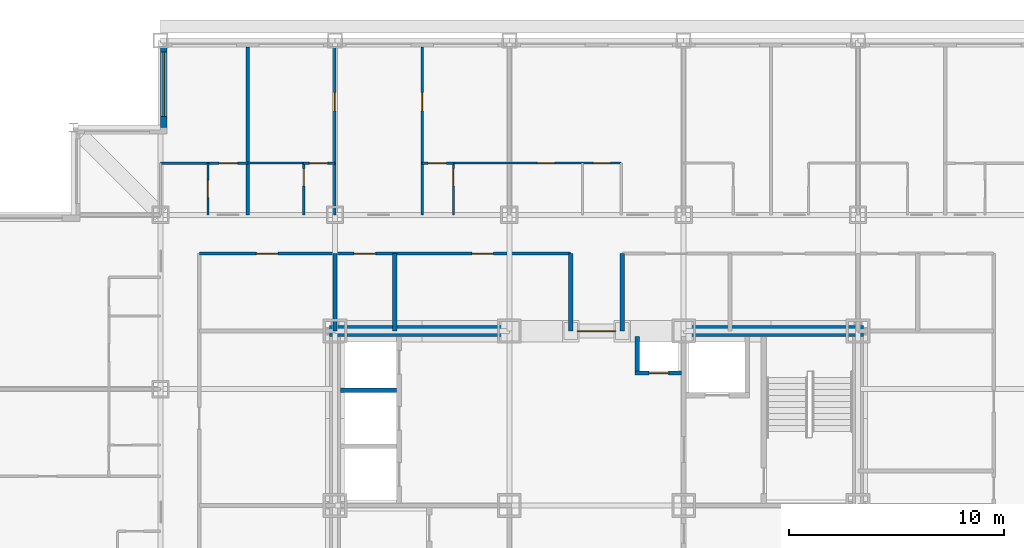
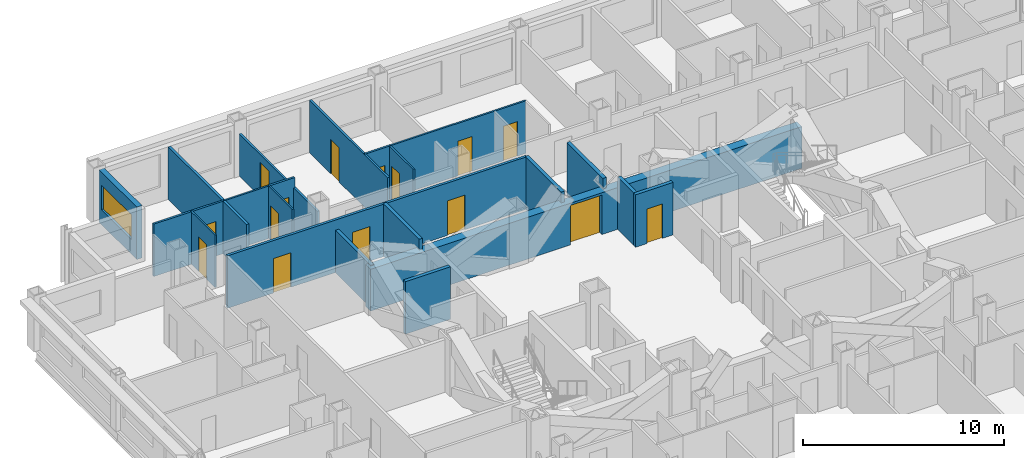
# One storey, part 9 of 13: 21 walls, 15 doors, 1 window, 16 openings.
"""IFC4 building model written with IfcOpenShell, lengths in metres."""

from ifc_helpers import new_model, si_unit, direction, frame, frame_2d, origin, place, context, subcontext, project, spatial, rectangle, extrude, material, layer, layer_set, type_object, element, fill, save


model = new_model("IFC4")

# Units and contexts
model_context = context("Model", 3, precision=1e-05, world=origin(), true_north=direction((0.0, 1.0)))
body_context = subcontext(model_context, "Body", "Model", "MODEL_VIEW")
ifc_project = project(units=[si_unit("LENGTHUNIT", "METRE"), si_unit("AREAUNIT", "SQUARE_METRE"), si_unit("VOLUMEUNIT", "CUBIC_METRE"), si_unit("PLANEANGLEUNIT", "RADIAN"), si_unit("MASSUNIT", "GRAM", prefix="KILO")], contexts=[model_context])

# Site, building, storey
site_placement = place(None, origin())
site = spatial("IfcSite", under=ifc_project, at=site_placement, CompositionType="ELEMENT")
building_placement = place(site_placement, origin())
building = spatial("IfcBuilding", under=site, at=building_placement, Name="Kopane Lantern Tower", CompositionType="ELEMENT")
storey_placement = place(building_placement, frame((0.0, 0.0, 130.60009765625)))
storey = spatial("IfcBuildingStorey", under=building, at=storey_placement, Name="L33", CompositionType="ELEMENT", Elevation=130.60009765625)

# Wall, opening, door
ifc_material_1 = material(Name="Gypsum board on steel studs", Category="steel")
ifc_layer_1 = layer(ifc_material_1, 0.1201171875)
ifc_layer_set_1 = layer_set([ifc_layer_1], Name="APARTMENT INTERNAL WALL 120")
wall_type_1 = type_object("IfcWallType", Name="APARTMENT INTERNAL WALL 120", PredefinedType="PARTITIONING", material=ifc_layer_set_1)
wall_1_placement = place(storey_placement, frame((16.199951171875, 45.89990234375, 0.0), z_axis=(0.0, 0.0, 1.0), x_axis=(0.0, 1.0, 0.0)))
wall_1 = element("IfcWall", 1, at=wall_1_placement, inside=storey, type_object=wall_type_1, Name="Apartment Internal Wall 120 L33", PredefinedType="PARTITIONING", context=body_context, shape_type="SweptSolid", body=[
    extrude(rectangle(XDim=7.800048828125, YDim=0.1201171875, at=frame_2d((3.89990234375, 0.0))), origin(), (0.0, 0.0, 1.0), 2.57763671875),
])
opening_1_placement = place(wall_1_placement, frame((4.824951171875, 0.0, 0.0)))
opening_1 = element("IfcOpeningElement", 2, at=opening_1_placement, cuts=wall_1, Name="Opening L33-031", PredefinedType="OPENING", context=body_context, shape_type="SweptSolid", body=[
    extrude(rectangle(XDim=0.85009765625, YDim=2.10009765625, at=frame_2d((0.425048828125, 1.050048828125))), frame((0.0, 0.070068359375, 0.0), z_axis=(0.0, -1.0, 0.0), x_axis=(1.0, 0.0, 0.0)), (0.0, 0.0, 1.0), 0.14013671875),
])
ifc_material_2 = material(Name="Timber door set", Category="wood")
door_type_1 = type_object("IfcDoorType", Name="DOOR D4 850x2100", OperationType="SINGLE_SWING_LEFT", PredefinedType="DOOR", material=ifc_material_2)
door_1_placement = place(opening_1_placement, origin())
door_1 = element("IfcDoor", 3, at=door_1_placement, inside=storey, type_object=door_type_1, Name="Door L33-031", OperationType="SINGLE_SWING_LEFT", OverallHeight=2.10009765625, OverallWidth=0.85009765625, PredefinedType="DOOR", context=body_context, shape_type="SweptSolid", body=[
    extrude(rectangle(XDim=0.85009765625, YDim=2.10009765625, at=frame_2d((0.425048828125, 1.050048828125))), frame((0.0, 0.02490234375, 0.0), z_axis=(0.0, -1.0, 0.0), x_axis=(1.0, 0.0, 0.0)), (0.0, 0.0, 1.0), 0.050048828125),
])
fill(opening_1, door_1)

wall_2_placement = place(storey_placement, frame((20.25, 45.89990234375, 0.0), z_axis=(0.0, 0.0, 1.0), x_axis=(0.0, 1.0, 0.0)))
wall_2 = element("IfcWall", 4, at=wall_2_placement, inside=storey, type_object=wall_type_1, Name="Apartment Internal Wall 120 L33", PredefinedType="PARTITIONING", context=body_context, shape_type="SweptSolid", body=[
    extrude(rectangle(XDim=7.800048828125, YDim=0.1201171875, at=frame_2d((3.89990234375, 0.0))), origin(), (0.0, 0.0, 1.0), 3.18994140625),
])
opening_2_placement = place(wall_2_placement, frame((4.824951171875, 0.0, 0.0)))
opening_2 = element("IfcOpeningElement", 5, at=opening_2_placement, cuts=wall_2, Name="Opening L33-033", PredefinedType="OPENING", context=body_context, shape_type="SweptSolid", body=[
    extrude(rectangle(XDim=0.85009765625, YDim=2.10009765625, at=frame_2d((0.425048828125, 1.050048828125))), frame((0.0, 0.070068359375, 0.0), z_axis=(0.0, -1.0, 0.0), x_axis=(1.0, 0.0, 0.0)), (0.0, 0.0, 1.0), 0.14013671875),
])
door_2_placement = place(opening_2_placement, origin())
door_2 = element("IfcDoor", 6, at=door_2_placement, inside=storey, type_object=door_type_1, Name="Door L33-033", OperationType="SINGLE_SWING_RIGHT", OverallHeight=2.10009765625, OverallWidth=0.85009765625, PredefinedType="DOOR", context=body_context, shape_type="SweptSolid", body=[
    extrude(rectangle(XDim=0.85009765625, YDim=2.10009765625, at=frame_2d((0.425048828125, 1.050048828125))), frame((0.0, 0.02490234375, 0.0), z_axis=(0.0, -1.0, 0.0), x_axis=(1.0, 0.0, 0.0)), (0.0, 0.0, 1.0), 0.050048828125),
])
fill(opening_2, door_2)

wall_3_placement = place(storey_placement, frame((8.10009765625, 48.300048828125, 0.0), z_axis=(0.0, 0.0, 1.0), x_axis=(1.0, 0.0, 0.0)))
wall_3 = element("IfcWall", 7, at=wall_3_placement, inside=storey, type_object=wall_type_1, Name="Apartment Internal Wall 120 L33", PredefinedType="PARTITIONING", context=body_context, shape_type="SweptSolid", body=[
    extrude(rectangle(XDim=4.0498046875, YDim=0.1201171875, at=frame_2d((2.02490234375, 0.0))), origin(), (0.0, 0.0, 1.0), 3.18994140625),
])
opening_3_placement = place(wall_3_placement, frame((2.72509765625, 0.0, 0.0)))
opening_3 = element("IfcOpeningElement", 8, at=opening_3_placement, cuts=wall_3, Name="Opening L33-078", PredefinedType="OPENING", context=body_context, shape_type="SweptSolid", body=[
    extrude(rectangle(XDim=0.85009765625, YDim=2.10009765625, at=frame_2d((0.425048828125, 1.050048828125))), frame((0.0, 0.070068359375, 0.0), z_axis=(0.0, -1.0, 0.0), x_axis=(1.0, 0.0, 0.0)), (0.0, 0.0, 1.0), 0.14013671875),
])
door_3_placement = place(opening_3_placement, origin())
door_3 = element("IfcDoor", 9, at=door_3_placement, inside=storey, type_object=door_type_1, Name="Door L33-078", OperationType="SINGLE_SWING_LEFT", OverallHeight=2.10009765625, OverallWidth=0.85009765625, PredefinedType="DOOR", context=body_context, shape_type="SweptSolid", body=[
    extrude(rectangle(XDim=0.85009765625, YDim=2.10009765625, at=frame_2d((0.425048828125, 1.050048828125))), frame((0.0, 0.02490234375, 0.0), z_axis=(0.0, -1.0, 0.0), x_axis=(1.0, 0.0, 0.0)), (0.0, 0.0, 1.0), 0.050048828125),
])
fill(opening_3, door_3)

wall_4_placement = place(storey_placement, frame((14.739990234375, 48.300048828125, 0.0), z_axis=(0.0, 0.0, 1.0), x_axis=(1.0, 0.0, 0.0)))
wall_4 = element("IfcWall", 10, at=wall_4_placement, inside=storey, type_object=wall_type_1, Name="Apartment Internal Wall 120 L33", PredefinedType="PARTITIONING", context=body_context, shape_type="SweptSolid", body=[
    extrude(rectangle(XDim=1.4599609375, YDim=0.1201171875, at=frame_2d((0.72998046875, 0.0))), origin(), (0.0, 0.0, 1.0), 3.18994140625),
])
opening_4_placement = place(wall_4_placement, frame((0.27490234375, 0.0, 0.0)))
opening_4 = element("IfcOpeningElement", 11, at=opening_4_placement, cuts=wall_4, Name="Opening L33-083", PredefinedType="OPENING", context=body_context, shape_type="SweptSolid", body=[
    extrude(rectangle(XDim=0.85009765625, YDim=2.10009765625, at=frame_2d((0.425048828125, 1.050048828125))), frame((0.0, 0.070068359375, 0.0), z_axis=(0.0, -1.0, 0.0), x_axis=(1.0, 0.0, 0.0)), (0.0, 0.0, 1.0), 0.14013671875),
])
door_4_placement = place(opening_4_placement, origin())
door_4 = element("IfcDoor", 12, at=door_4_placement, inside=storey, type_object=door_type_1, Name="Door L33-083", OperationType="SINGLE_SWING_RIGHT", OverallHeight=2.10009765625, OverallWidth=0.85009765625, PredefinedType="DOOR", context=body_context, shape_type="SweptSolid", body=[
    extrude(rectangle(XDim=0.85009765625, YDim=2.10009765625, at=frame_2d((0.425048828125, 1.050048828125))), frame((0.0, 0.02490234375, 0.0), z_axis=(0.0, -1.0, 0.0), x_axis=(1.0, 0.0, 0.0)), (0.0, 0.0, 1.0), 0.050048828125),
])
fill(opening_4, door_4)

wall_5_placement = place(storey_placement, frame((20.25, 48.300048828125, 0.0), z_axis=(0.0, 0.0, 1.0), x_axis=(1.0, 0.0, 0.0)))
wall_5 = element("IfcWall", 13, at=wall_5_placement, inside=storey, type_object=wall_type_1, Name="Apartment Internal Wall 120 L33", PredefinedType="PARTITIONING", context=body_context, shape_type="SweptSolid", body=[
    extrude(rectangle(XDim=1.4599609375, YDim=0.1201171875, at=frame_2d((0.72998046875, 0.0))), origin(), (0.0, 0.0, 1.0), 3.18994140625),
])
opening_5_placement = place(wall_5_placement, frame((0.27490234375, 0.0, 0.0)))
opening_5 = element("IfcOpeningElement", 14, at=opening_5_placement, cuts=wall_5, Name="Opening L33-084", PredefinedType="OPENING", context=body_context, shape_type="SweptSolid", body=[
    extrude(rectangle(XDim=0.85009765625, YDim=2.10009765625, at=frame_2d((0.425048828125, 1.050048828125))), frame((0.0, 0.070068359375, 0.0), z_axis=(0.0, -1.0, 0.0), x_axis=(1.0, 0.0, 0.0)), (0.0, 0.0, 1.0), 0.14013671875),
])
door_5_placement = place(opening_5_placement, origin())
door_5 = element("IfcDoor", 15, at=door_5_placement, inside=storey, type_object=door_type_1, Name="Door L33-084", OperationType="SINGLE_SWING_LEFT", OverallHeight=2.10009765625, OverallWidth=0.85009765625, PredefinedType="DOOR", context=body_context, shape_type="SweptSolid", body=[
    extrude(rectangle(XDim=0.85009765625, YDim=2.10009765625, at=frame_2d((0.425048828125, 1.050048828125))), frame((0.0, 0.02490234375, 0.0), z_axis=(0.0, -1.0, 0.0), x_axis=(1.0, 0.0, 0.0)), (0.0, 0.0, 1.0), 0.050048828125),
])
fill(opening_5, door_5)

# Wall
ifc_material_3 = material(Name="Moisture-resistant board on steel studs", Category="steel")
ifc_layer_2 = layer(ifc_material_3, 0.10009765625)
ifc_layer_set_2 = layer_set([ifc_layer_2], Name="BATHROOM WALL 100")
wall_type_2 = type_object("IfcWallType", Name="BATHROOM WALL 100", PredefinedType="PARTITIONING", material=ifc_layer_set_2)
wall_6_placement = place(storey_placement, frame((12.14990234375, 48.300048828125, 0.0), z_axis=(0.0, 0.0, 1.0), x_axis=(1.0, 0.0, 0.0)))
element("IfcWall", 16, at=wall_6_placement, inside=storey, type_object=wall_type_2, Name="Bathroom Wall 100 L33", PredefinedType="PARTITIONING", context=body_context, shape_type="SweptSolid", body=[
    extrude(rectangle(XDim=2.60009765625, YDim=0.10009765625, at=frame_2d((1.300048828125, 0.0))), origin(), (0.0, 0.0, 1.0), 3.18994140625),
])

# Wall, opening, door
wall_7_placement = place(storey_placement, frame((14.75, 45.89990234375, 0.0), z_axis=(0.0, 0.0, 1.0), x_axis=(0.0, 1.0, 0.0)))
wall_7 = element("IfcWall", 17, at=wall_7_placement, inside=storey, type_object=wall_type_2, Name="Bathroom Wall 100 L33", PredefinedType="PARTITIONING", context=body_context, shape_type="SweptSolid", body=[
    extrude(rectangle(XDim=2.400146484375, YDim=0.10009765625, at=frame_2d((1.2001953125, 0.0))), origin(), (0.0, 0.0, 1.0), 3.18994140625),
])
opening_6_placement = place(wall_7_placement, frame((1.35009765625, 0.0, 0.0)))
opening_6 = element("IfcOpeningElement", 18, at=opening_6_placement, cuts=wall_7, Name="Opening L33-030", PredefinedType="OPENING", context=body_context, shape_type="SweptSolid", body=[
    extrude(rectangle(XDim=0.800048828125, YDim=2.10009765625, at=frame_2d((0.39990234375, 1.050048828125))), frame((0.0, 0.06005859375, 0.0), z_axis=(0.0, -1.0, 0.0), x_axis=(1.0, 0.0, 0.0)), (0.0, 0.0, 1.0), 0.1201171875),
])
ifc_material_4 = material(Name="Timber door set", Category="wood")
door_type_2 = type_object("IfcDoorType", Name="DOOR D2 800x2100", OperationType="SINGLE_SWING_LEFT", PredefinedType="DOOR", material=ifc_material_4)
door_6_placement = place(opening_6_placement, origin())
door_6 = element("IfcDoor", 19, at=door_6_placement, inside=storey, type_object=door_type_2, Name="Door L33-030", OperationType="SINGLE_SWING_LEFT", OverallHeight=2.10009765625, OverallWidth=0.800048828125, PredefinedType="DOOR", context=body_context, shape_type="SweptSolid", body=[
    extrude(rectangle(XDim=0.800048828125, YDim=2.10009765625, at=frame_2d((0.39990234375, 1.050048828125))), frame((0.0, 0.02490234375, 0.0), z_axis=(0.0, -1.0, 0.0), x_axis=(1.0, 0.0, 0.0)), (0.0, 0.0, 1.0), 0.050048828125),
])
fill(opening_6, door_6)

# Wall, openings, doors
wall_8_placement = place(storey_placement, frame((21.699951171875, 48.300048828125, 0.0), z_axis=(0.0, 0.0, 1.0), x_axis=(1.0, 0.0, 0.0)))
wall_8 = element("IfcWall", 20, at=wall_8_placement, inside=storey, type_object=wall_type_2, Name="Bathroom Wall 100 L33", PredefinedType="PARTITIONING", context=body_context, shape_type="SweptSolid", body=[
    extrude(rectangle(XDim=7.800048828125, YDim=0.10009765625, at=frame_2d((3.89990234375, 0.0))), origin(), (0.0, 0.0, 1.0), 3.18994140625),
])
opening_7_placement = place(wall_8_placement, frame((3.89990234375, 0.0, 0.0)))
opening_7 = element("IfcOpeningElement", 21, at=opening_7_placement, cuts=wall_8, Name="Opening L33-034", PredefinedType="OPENING", context=body_context, shape_type="SweptSolid", body=[
    extrude(rectangle(XDim=0.800048828125, YDim=2.10009765625, at=frame_2d((0.39990234375, 1.050048828125))), frame((0.0, 0.06005859375, 0.0), z_axis=(0.0, -1.0, 0.0), x_axis=(1.0, 0.0, 0.0)), (0.0, 0.0, 1.0), 0.1201171875),
])
opening_8_placement = place(wall_8_placement, frame((6.5, 0.0, 0.0)))
opening_8 = element("IfcOpeningElement", 22, at=opening_8_placement, cuts=wall_8, Name="Opening L33-035", PredefinedType="OPENING", context=body_context, shape_type="SweptSolid", body=[
    extrude(rectangle(XDim=0.800048828125, YDim=2.10009765625, at=frame_2d((0.39990234375, 1.050048828125))), frame((0.0, 0.06005859375, 0.0), z_axis=(0.0, -1.0, 0.0), x_axis=(1.0, 0.0, 0.0)), (0.0, 0.0, 1.0), 0.1201171875),
])
door_7_placement = place(opening_7_placement, origin())
door_7 = element("IfcDoor", 23, at=door_7_placement, inside=storey, type_object=door_type_2, Name="Door L33-034", OperationType="SINGLE_SWING_LEFT", OverallHeight=2.10009765625, OverallWidth=0.800048828125, PredefinedType="DOOR", context=body_context, shape_type="SweptSolid", body=[
    extrude(rectangle(XDim=0.800048828125, YDim=2.10009765625, at=frame_2d((0.39990234375, 1.050048828125))), frame((0.0, 0.02490234375, 0.0), z_axis=(0.0, -1.0, 0.0), x_axis=(1.0, 0.0, 0.0)), (0.0, 0.0, 1.0), 0.050048828125),
])
fill(opening_7, door_7)
door_8_placement = place(opening_8_placement, origin())
door_8 = element("IfcDoor", 24, at=door_8_placement, inside=storey, type_object=door_type_2, Name="Door L33-035", OperationType="SINGLE_SWING_LEFT", OverallHeight=2.10009765625, OverallWidth=0.800048828125, PredefinedType="DOOR", context=body_context, shape_type="SweptSolid", body=[
    extrude(rectangle(XDim=0.800048828125, YDim=2.10009765625, at=frame_2d((0.39990234375, 1.050048828125))), frame((0.0, 0.02490234375, 0.0), z_axis=(0.0, -1.0, 0.0), x_axis=(1.0, 0.0, 0.0)), (0.0, 0.0, 1.0), 0.050048828125),
])
fill(opening_8, door_8)

# Wall, opening, door
wall_9_placement = place(storey_placement, frame((21.699951171875, 45.89990234375, 0.0), z_axis=(0.0, 0.0, 1.0), x_axis=(0.0, 1.0, 0.0)))
wall_9 = element("IfcWall", 25, at=wall_9_placement, inside=storey, type_object=wall_type_2, Name="Bathroom Wall 100 L33", PredefinedType="PARTITIONING", context=body_context, shape_type="SweptSolid", body=[
    extrude(rectangle(XDim=2.400146484375, YDim=0.10009765625, at=frame_2d((1.2001953125, 0.0))), origin(), (0.0, 0.0, 1.0), 3.18994140625),
])
opening_9_placement = place(wall_9_placement, frame((1.35009765625, 0.0, 0.0)))
opening_9 = element("IfcOpeningElement", 26, at=opening_9_placement, cuts=wall_9, Name="Opening L33-032", PredefinedType="OPENING", context=body_context, shape_type="SweptSolid", body=[
    extrude(rectangle(XDim=0.800048828125, YDim=2.10009765625, at=frame_2d((0.39990234375, 1.050048828125))), frame((0.0, 0.06005859375, 0.0), z_axis=(0.0, -1.0, 0.0), x_axis=(1.0, 0.0, 0.0)), (0.0, 0.0, 1.0), 0.1201171875),
])
door_9_placement = place(opening_9_placement, origin())
door_9 = element("IfcDoor", 27, at=door_9_placement, inside=storey, type_object=door_type_2, Name="Door L33-032", OperationType="SINGLE_SWING_RIGHT", OverallHeight=2.10009765625, OverallWidth=0.800048828125, PredefinedType="DOOR", context=body_context, shape_type="SweptSolid", body=[
    extrude(rectangle(XDim=0.800048828125, YDim=2.10009765625, at=frame_2d((0.39990234375, 1.050048828125))), frame((0.0, 0.02490234375, 0.0), z_axis=(0.0, -1.0, 0.0), x_axis=(1.0, 0.0, 0.0)), (0.0, 0.0, 1.0), 0.050048828125),
])
fill(opening_9, door_9)

wall_10_placement = place(storey_placement, frame((10.300048828125, 45.89990234375, 0.0), z_axis=(0.0, 0.0, 1.0), x_axis=(0.0, 1.0, 0.0)))
wall_10 = element("IfcWall", 28, at=wall_10_placement, inside=storey, type_object=wall_type_2, Name="Bathroom Wall 100 L33", PredefinedType="PARTITIONING", context=body_context, shape_type="SweptSolid", body=[
    extrude(rectangle(XDim=2.400146484375, YDim=0.10009765625, at=frame_2d((1.2001953125, 0.0))), origin(), (0.0, 0.0, 1.0), 3.18994140625),
])
opening_10_placement = place(wall_10_placement, frame((0.800048828125, 0.0, 0.0)))
opening_10 = element("IfcOpeningElement", 29, at=opening_10_placement, cuts=wall_10, Name="Opening L33-076", PredefinedType="OPENING", context=body_context, shape_type="SweptSolid", body=[
    extrude(rectangle(XDim=0.800048828125, YDim=2.10009765625, at=frame_2d((0.39990234375, 1.050048828125))), frame((0.0, 0.06005859375, 0.0), z_axis=(0.0, -1.0, 0.0), x_axis=(1.0, 0.0, 0.0)), (0.0, 0.0, 1.0), 0.1201171875),
])
door_10_placement = place(opening_10_placement, origin())
door_10 = element("IfcDoor", 30, at=door_10_placement, inside=storey, type_object=door_type_2, Name="Door L33-076", OperationType="SINGLE_SWING_LEFT", OverallHeight=2.10009765625, OverallWidth=0.800048828125, PredefinedType="DOOR", context=body_context, shape_type="SweptSolid", body=[
    extrude(rectangle(XDim=0.800048828125, YDim=2.10009765625, at=frame_2d((0.39990234375, 1.050048828125))), frame((0.0, 0.02490234375, 0.0), z_axis=(0.0, -1.0, 0.0), x_axis=(1.0, 0.0, 0.0)), (0.0, 0.0, 1.0), 0.050048828125),
])
fill(opening_10, door_10)

ifc_material_5 = material(Name="Gypsum shaft wall EI 120", Category="gypsum")
ifc_layer_3 = layer(ifc_material_5, 0.5)
ifc_layer_set_3 = layer_set([ifc_layer_3], Name="CORE PERIMETER WALL 500 EI 120")
wall_type_3 = type_object("IfcWallType", Name="CORE PERIMETER WALL 500 EI 120", PredefinedType="SOLIDWALL", material=ifc_layer_set_3)
wall_11_placement = place(storey_placement, frame((15.949951171875, 40.5, 0.0), z_axis=(0.0, 0.0, 1.0), x_axis=(1.0, 0.0, 0.0)))
wall_11 = element("IfcWall", 31, at=wall_11_placement, inside=storey, type_object=wall_type_3, Name="Core shaft wall L33 PN", PredefinedType="SOLIDWALL", context=body_context, shape_type="SweptSolid", body=[
    extrude(rectangle(XDim=24.800048828125, YDim=0.5, at=frame_2d((12.39990234375, 0.0))), origin(), (0.0, 0.0, 1.0), 2.539794921875),
])
opening_11_placement = place(wall_11_placement, frame((11.5, 0.0, 0.0)))
opening_11 = element("IfcOpeningElement", 32, at=opening_11_placement, cuts=wall_11, Name="Opening 33.CE-N", PredefinedType="OPENING", context=body_context, shape_type="SweptSolid", body=[
    extrude(rectangle(XDim=1.800048828125, YDim=2.39990234375, at=frame_2d((0.89990234375, 1.199951171875))), frame((0.0, 0.260009765625, 0.0), z_axis=(0.0, -1.0, 0.0), x_axis=(1.0, 0.0, 0.0)), (0.0, 0.0, 1.0), 0.52001953125),
])
ifc_material_6 = material(Name="Steel door set", Category="steel")
door_type_3 = type_object("IfcDoorType", Name="CORE ENTRY DOOR 1800x2400 FD60S", OperationType="DOUBLE_DOOR_SINGLE_SWING", PredefinedType="DOOR", material=ifc_material_6)
door_11_placement = place(opening_11_placement, origin())
door_11 = element("IfcDoor", 33, at=door_11_placement, inside=storey, type_object=door_type_3, Name="Core entry door L33 north", OperationType="DOUBLE_DOOR_SINGLE_SWING", OverallHeight=2.39990234375, OverallWidth=1.800048828125, PredefinedType="DOOR", context=body_context, shape_type="SweptSolid", body=[
    extrude(rectangle(XDim=1.800048828125, YDim=2.39990234375, at=frame_2d((0.89990234375, 1.199951171875))), frame((0.0, 0.02490234375, 0.0), z_axis=(0.0, -1.0, 0.0), x_axis=(1.0, 0.0, 0.0)), (0.0, 0.0, 1.0), 0.050048828125),
])
fill(opening_11, door_11)

# Wall, openings, doors
ifc_material_7 = material(Name="Gypsum board on steel studs", Category="steel")
ifc_layer_4 = layer(ifc_material_7, 0.14990234375)
ifc_layer_set_4 = layer_set([ifc_layer_4], Name="CORRIDOR WALL 150 EI 60")
wall_type_4 = type_object("IfcWallType", Name="CORRIDOR WALL 150 EI 60", PredefinedType="PARTITIONING", material=ifc_layer_set_4)
wall_12_placement = place(storey_placement, frame((27.139892578125, 44.10009765625, 0.0), z_axis=(0.0, 0.0, 1.0), x_axis=(-1.0, 0.0, 0.0)))
wall_12 = element("IfcWall", 34, at=wall_12_placement, inside=storey, type_object=wall_type_4, Name="Corridor Wall 150 Ei 60 L33", PredefinedType="PARTITIONING", context=body_context, shape_type="SweptSolid", body=[
    extrude(rectangle(XDim=17.239990234375, YDim=0.14990234375, at=frame_2d((8.6201171875, 0.0))), origin(), (0.0, 0.0, 1.0), 3.18994140625),
])
opening_12_placement = place(wall_12_placement, frame((13.590087890625, 0.0, 0.0)))
opening_12 = element("IfcOpeningElement", 35, at=opening_12_placement, cuts=wall_12, Name="Opening L33-008", PredefinedType="OPENING", context=body_context, shape_type="SweptSolid", body=[
    extrude(rectangle(XDim=1.0, YDim=2.10009765625, at=frame_2d((0.5, 1.050048828125))), frame((0.0, 0.0849609375, 0.0), z_axis=(0.0, -1.0, 0.0), x_axis=(1.0, 0.0, 0.0)), (0.0, 0.0, 1.0), 0.169921875),
])
opening_13_placement = place(wall_12_placement, frame((9.051025390625, 0.0, 0.0)))
opening_13 = element("IfcOpeningElement", 36, at=opening_13_placement, cuts=wall_12, Name="Opening L33-009", PredefinedType="OPENING", context=body_context, shape_type="SweptSolid", body=[
    extrude(rectangle(XDim=1.0, YDim=2.10009765625, at=frame_2d((0.5, 1.050048828125))), frame((0.0, 0.0849609375, 0.0), z_axis=(0.0, -1.0, 0.0), x_axis=(1.0, 0.0, 0.0)), (0.0, 0.0, 1.0), 0.169921875),
])
opening_14_placement = place(wall_12_placement, frame((3.576171875, 0.0, 0.0)))
opening_14 = element("IfcOpeningElement", 37, at=opening_14_placement, cuts=wall_12, Name="Opening L33-010", PredefinedType="OPENING", context=body_context, shape_type="SweptSolid", body=[
    extrude(rectangle(XDim=1.0, YDim=2.10009765625, at=frame_2d((0.5, 1.050048828125))), frame((0.0, 0.0849609375, 0.0), z_axis=(0.0, -1.0, 0.0), x_axis=(1.0, 0.0, 0.0)), (0.0, 0.0, 1.0), 0.169921875),
])
ifc_material_8 = material(Name="Steel door set", Category="steel")
door_type_4 = type_object("IfcDoorType", Name="DOOR D5 1000x2100 FD60", OperationType="SINGLE_SWING_LEFT", PredefinedType="DOOR", material=ifc_material_8)
door_12_placement = place(opening_12_placement, origin())
door_12 = element("IfcDoor", 38, at=door_12_placement, inside=storey, type_object=door_type_4, Name="Door L33-008", OperationType="SINGLE_SWING_LEFT", OverallHeight=2.10009765625, OverallWidth=1.0, PredefinedType="DOOR", context=body_context, shape_type="SweptSolid", body=[
    extrude(rectangle(XDim=1.0, YDim=2.10009765625, at=frame_2d((0.5, 1.050048828125))), frame((0.0, 0.02490234375, 0.0), z_axis=(0.0, -1.0, 0.0), x_axis=(1.0, 0.0, 0.0)), (0.0, 0.0, 1.0), 0.050048828125),
])
fill(opening_12, door_12)
door_13_placement = place(opening_13_placement, origin())
door_13 = element("IfcDoor", 39, at=door_13_placement, inside=storey, type_object=door_type_4, Name="Door L33-009", OperationType="SINGLE_SWING_RIGHT", OverallHeight=2.10009765625, OverallWidth=1.0, PredefinedType="DOOR", context=body_context, shape_type="SweptSolid", body=[
    extrude(rectangle(XDim=1.0, YDim=2.10009765625, at=frame_2d((0.5, 1.050048828125))), frame((0.0, 0.02490234375, 0.0), z_axis=(0.0, -1.0, 0.0), x_axis=(1.0, 0.0, 0.0)), (0.0, 0.0, 1.0), 0.050048828125),
])
fill(opening_13, door_13)
door_14_placement = place(opening_14_placement, origin())
door_14 = element("IfcDoor", 40, at=door_14_placement, inside=storey, type_object=door_type_4, Name="Door L33-010", OperationType="SINGLE_SWING_LEFT", OverallHeight=2.10009765625, OverallWidth=1.0, PredefinedType="DOOR", context=body_context, shape_type="SweptSolid", body=[
    extrude(rectangle(XDim=1.0, YDim=2.10009765625, at=frame_2d((0.5, 1.050048828125))), frame((0.0, 0.02490234375, 0.0), z_axis=(0.0, -1.0, 0.0), x_axis=(1.0, 0.0, 0.0)), (0.0, 0.0, 1.0), 0.050048828125),
])
fill(opening_14, door_14)

# Wall
ifc_material_9 = material(Name="Gypsum board on steel studs", Category="steel")
ifc_layer_5 = layer(ifc_material_9, 0.14990234375)
ifc_layer_set_5 = layer_set([ifc_layer_5], Name="DEMISING WALL 150 EI 60")
wall_type_5 = type_object("IfcWallType", Name="DEMISING WALL 150 EI 60", PredefinedType="PARTITIONING", material=ifc_layer_set_5)
wall_13_placement = place(storey_placement, frame((12.14990234375, 45.89990234375, 0.0), z_axis=(0.0, 0.0, 1.0), x_axis=(0.0, 1.0, 0.0)))
element("IfcWall", 41, at=wall_13_placement, inside=storey, type_object=wall_type_5, Name="Demising Wall 150 Ei 60 L33", PredefinedType="PARTITIONING", context=body_context, shape_type="SweptSolid", body=[
    extrude(rectangle(XDim=7.800048828125, YDim=0.14990234375, at=frame_2d((3.89990234375, 0.0))), origin(), (0.0, 0.0, 1.0), 3.18994140625),
])

# Wall, opening, window
ifc_material_10 = material(Name="Terracotta rainscreen on light steel framing", Category="masonry")
ifc_layer_6 = layer(ifc_material_10, 0.300048828125)
ifc_layer_set_6 = layer_set([ifc_layer_6], Name="EXTERNAL WALL EW1 300 TERRACOTTA")
wall_type_6 = type_object("IfcWallType", Name="EXTERNAL WALL EW1 300 TERRACOTTA", PredefinedType="SOLIDWALL", material=ifc_layer_set_6)
wall_14_placement = place(storey_placement, frame((8.25, 53.699951171875, 0.0), z_axis=(0.0, 0.0, 1.0), x_axis=(0.0, -1.0, 0.0)))
wall_14 = element("IfcWall", 42, at=wall_14_placement, inside=storey, type_object=wall_type_6, Name="External wall W L33", PredefinedType="SOLIDWALL", context=body_context, shape_type="SweptSolid", body=[
    extrude(rectangle(XDim=3.75, YDim=0.300048828125, at=frame_2d((1.875, 0.0))), origin(), (0.0, 0.0, 1.0), 3.18994140625),
])
opening_15_placement = place(wall_14_placement, frame((0.22509765625, 0.0, 0.89990234375)))
opening_15 = element("IfcOpeningElement", 43, at=opening_15_placement, cuts=wall_14, Name="Opening WR300150", PredefinedType="OPENING", context=body_context, shape_type="SweptSolid", body=[
    extrude(rectangle(XDim=3.0, YDim=1.5, at=frame_2d((1.5, 0.75))), frame((0.0, 0.159912109375, 0.0), z_axis=(0.0, -1.0, 0.0), x_axis=(1.0, 0.0, 0.0)), (0.0, 0.0, 1.0), 0.320068359375),
])
ifc_material_11 = material(Name="Aluminium and clear glass", Category="aluminium")
window_type = type_object("IfcWindowType", Name="RIBBON WINDOW WR300150 3000x1500", PartitioningType="SINGLE_PANEL", PredefinedType="WINDOW", material=ifc_material_11)
window_placement = place(opening_15_placement, origin())
window = element("IfcWindow", 44, at=window_placement, inside=storey, type_object=window_type, Name="Window W L33", OverallHeight=1.5, OverallWidth=3.0, PartitioningType="SINGLE_PANEL", PredefinedType="WINDOW", context=body_context, shape_type="SweptSolid", body=[
    extrude(rectangle(XDim=3.0, YDim=1.5, at=frame_2d((1.5, 0.75))), frame((0.0, 0.030029296875, 0.0), z_axis=(0.0, -1.0, 0.0), x_axis=(1.0, 0.0, 0.0)), (0.0, 0.0, 1.0), 0.06005859375),
])
fill(opening_15, window)

# Walls
ifc_material_12 = material(Name="Concrete masonry", Category="masonry")
ifc_layer_7 = layer(ifc_material_12, 0.199951171875)
ifc_layer_set_7 = layer_set([ifc_layer_7], Name="PLANT ROOM WALL 200 EI 120")
wall_type_7 = type_object("IfcWallType", Name="PLANT ROOM WALL 200 EI 120", PredefinedType="SOLIDWALL", material=ifc_layer_set_7)
wall_15_placement = place(storey_placement, frame((16.199951171875, 40.5, 0.0), z_axis=(0.0, 0.0, 1.0), x_axis=(0.0, 1.0, 0.0)))
element("IfcWall", 45, at=wall_15_placement, inside=storey, type_object=wall_type_7, Name="Plant Room Wall 200 Ei 120 L33", PredefinedType="SOLIDWALL", context=body_context, shape_type="SweptSolid", body=[
    extrude(rectangle(XDim=3.60009765625, YDim=0.199951171875, at=frame_2d((1.800048828125, 0.0))), origin(), (0.0, 0.0, 1.0), 2.57763671875),
])
for number, where, z_axis, x_axis, name in (
    (46, (18.977783203125, 44.10009765625, 0.0), (0.0, 0.0, 1.0), (0.0, -1.0, 0.0), "Plant Room Wall 200 Ei 120 L33"),
    (47, (27.14990234375, 40.5, 0.0), (0.0, 0.0, 1.0), (0.0, 1.0, 0.0), "Plant Room Wall 200 Ei 120 L33"),
    (48, (29.550048828125, 40.5, 0.0), (0.0, 0.0, 1.0), (0.0, 1.0, 0.0), "Plant Room Wall 200 Ei 120 L33"),
):
    element("IfcWall", number, at=place(storey_placement, frame(where, z_axis=z_axis, x_axis=x_axis)), inside=storey, type_object=wall_type_7, Name=name, PredefinedType="SOLIDWALL", context=body_context, shape_type="SweptSolid", body=[
        extrude(rectangle(XDim=3.60009765625, YDim=0.199951171875, at=frame_2d((1.800048828125, 0.0))), origin(), (0.0, 0.0, 1.0), 3.18994140625),
    ])
ifc_material_13 = material(Name="Gypsum shaft wall EI 120", Category="gypsum")
ifc_layer_8 = layer(ifc_material_13, 0.199951171875)
ifc_layer_set_8 = layer_set([ifc_layer_8], Name="SHAFT WALL 200 EI 120")
wall_type_8 = type_object("IfcWallType", Name="SHAFT WALL 200 EI 120", PredefinedType="SOLIDWALL", material=ifc_layer_set_8)
wall_16_placement = place(storey_placement, frame((16.449951171875, 37.75, 0.0), z_axis=(0.0, 0.0, 1.0), x_axis=(1.0, 0.0, 0.0)))
element("IfcWall", 49, at=wall_16_placement, inside=storey, type_object=wall_type_8, Name="Core shaft wall L33 YLH23", PredefinedType="SOLIDWALL", context=body_context, shape_type="SweptSolid", body=[
    extrude(rectangle(XDim=2.60009765625, YDim=0.199951171875, at=frame_2d((1.300048828125, 0.0))), origin(), (0.0, 0.0, 1.0), 3.18994140625),
])
wall_17_placement = place(storey_placement, frame((30.25, 38.64990234375, 0.0), z_axis=(0.0, 0.0, 1.0), x_axis=(0.0, 1.0, 0.0)))
element("IfcWall", 50, at=wall_17_placement, inside=storey, type_object=wall_type_8, Name="Core shaft wall L33 XRS2", PredefinedType="SOLIDWALL", context=body_context, shape_type="SweptSolid", body=[
    extrude(rectangle(XDim=1.60009765625, YDim=0.199951171875, at=frame_2d((0.800048828125, 0.0))), origin(), (0.0, 0.0, 1.0), 3.18994140625),
])

# Wall, opening, door
wall_18_placement = place(storey_placement, frame((30.14990234375, 38.550048828125, 0.0), z_axis=(0.0, 0.0, 1.0), x_axis=(1.0, 0.0, 0.0)))
wall_18 = element("IfcWall", 51, at=wall_18_placement, inside=storey, type_object=wall_type_8, Name="Core shaft wall L33 YRS2", PredefinedType="SOLIDWALL", context=body_context, shape_type="SweptSolid", body=[
    extrude(rectangle(XDim=2.150146484375, YDim=0.199951171875, at=frame_2d((1.0751953125, 0.0))), origin(), (0.0, 0.0, 1.0), 3.18994140625),
])
opening_16_placement = place(wall_18_placement, frame((0.64990234375, 0.0, 0.0)))
opening_16 = element("IfcOpeningElement", 52, at=opening_16_placement, cuts=wall_18, Name="Opening 33.RS2", PredefinedType="OPENING", context=body_context, shape_type="SweptSolid", body=[
    extrude(rectangle(XDim=0.89990234375, YDim=2.10009765625, at=frame_2d((0.449951171875, 1.050048828125))), frame((0.0, 0.10986328125, 0.0), z_axis=(0.0, -1.0, 0.0), x_axis=(1.0, 0.0, 0.0)), (0.0, 0.0, 1.0), 0.219970703125),
])
ifc_material_14 = material(Name="Steel door set", Category="steel")
door_type_5 = type_object("IfcDoorType", Name="RISER ACCESS DOOR 900x2100 FD60", OperationType="SINGLE_SWING_LEFT", PredefinedType="DOOR", material=ifc_material_14)
door_15_placement = place(opening_16_placement, origin())
door_15 = element("IfcDoor", 53, at=door_15_placement, inside=storey, type_object=door_type_5, Name="Riser access door RS2 L33", OperationType="SINGLE_SWING_LEFT", OverallHeight=2.10009765625, OverallWidth=0.89990234375, PredefinedType="DOOR", context=body_context, shape_type="SweptSolid", body=[
    extrude(rectangle(XDim=0.89990234375, YDim=2.10009765625, at=frame_2d((0.449951171875, 1.050048828125))), frame((0.0, 0.02490234375, 0.0), z_axis=(0.0, -1.0, 0.0), x_axis=(1.0, 0.0, 0.0)), (0.0, 0.0, 1.0), 0.050048828125),
])
fill(opening_16, door_15)

save(model, "model.ifc")
